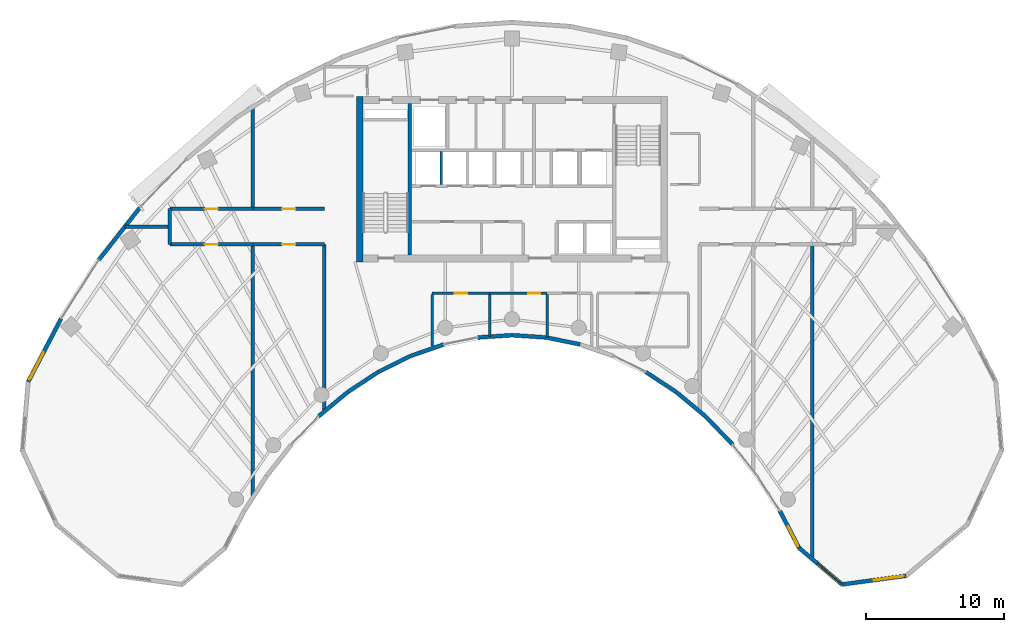
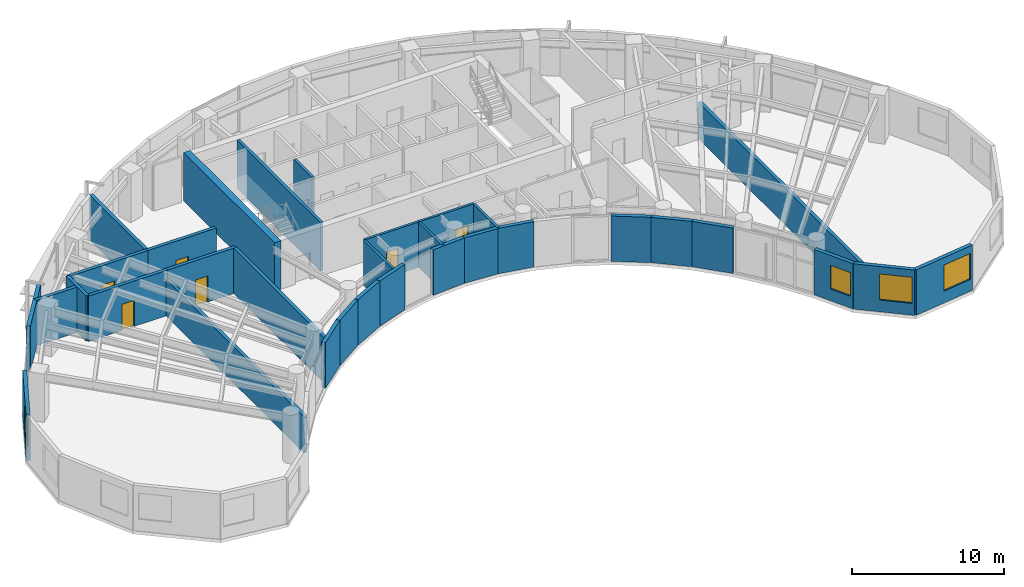
# One storey, part 8 of 14: 33 walls, 6 doors, 4 windows, 10 openings.
"""IFC4 building model written with IfcOpenShell, lengths in metres."""

from ifc_helpers import new_model, si_unit, direction, frame, frame_2d, origin, place, context, subcontext, project, spatial, rectangle, extrude, source, transform, mapped, material, layer, layer_set, type_object, type_shapes, element, fill, save


model = new_model("IFC4")

# Units and contexts
model_context = context("Model", 3, precision=1e-05, world=origin(), true_north=direction((0.0, 1.0)))
body_context = subcontext(model_context, "Body", "Model", "MODEL_VIEW")
ifc_project = project(units=[si_unit("LENGTHUNIT", "METRE"), si_unit("AREAUNIT", "SQUARE_METRE"), si_unit("VOLUMEUNIT", "CUBIC_METRE"), si_unit("PLANEANGLEUNIT", "RADIAN"), si_unit("MASSUNIT", "GRAM", prefix="KILO")], contexts=[model_context])

# Site, building, storey
site_placement = place(None, origin())
site = spatial("IfcSite", under=ifc_project, at=site_placement, CompositionType="ELEMENT")
building_placement = place(site_placement, origin())
building = spatial("IfcBuilding", under=site, at=building_placement, Name="Breltana Convention Tower", CompositionType="ELEMENT")
storey_placement = place(building_placement, frame((0.0, 0.0, 177.89990234375)))
storey = spatial("IfcBuildingStorey", under=building, at=storey_placement, Name="L43", CompositionType="ELEMENT", Elevation=177.89990234375)

# Walls
ifc_material_1 = material(Name="Concrete C60/75", Category="concrete")
ifc_layer_1 = layer(ifc_material_1, 0.5, Name="Concrete C60/75")
ifc_layer_set_1 = layer_set([ifc_layer_1], Name="Concrete C60/75")
wall_type_1 = type_object("IfcWallType", Name="SW-CORE-500", PredefinedType="SHEAR", material=ifc_layer_set_1)
shared_shape_1 = source(origin(), body_context, "Body", "SweptSolid", [
    extrude(rectangle(XDim=12.0, YDim=0.5, at=frame_2d((6.0, 0.0))), origin(), (0.0, 0.0, 1.0), 3.900146484375),
])
wall_1_placement = place(storey_placement, frame((36.949951171875, 60.199951171875, 0.0), z_axis=(0.0, 0.0, 1.0), x_axis=(0.0, 1.0, 0.0)))
element("IfcWall", 1, at=wall_1_placement, inside=storey, type_object=wall_type_1, Name="L43 West Core Shear Wall", PredefinedType="SHEAR", context=body_context, shape_type="MappedRepresentation", body=[
    mapped(shared_shape_1, transform((0.0, 0.0, 0.0), scale=1.0)),
])
ifc_material_2 = material(Name="Concrete C50/60", Category="concrete")
ifc_layer_2 = layer(ifc_material_2, 0.39990234375, Name="Concrete C50/60")
ifc_layer_set_2 = layer_set([ifc_layer_2], Name="Concrete C50/60")
wall_type_2 = type_object("IfcWallType", Name="SW-CORE-400", PredefinedType="SHEAR", material=ifc_layer_set_2)
shared_shape_2 = source(origin(), body_context, "Body", "SweptSolid", [
    extrude(rectangle(XDim=11.0, YDim=0.219970703125, at=frame_2d((5.5, 0.0))), origin(), (0.0, 0.0, 1.0), 3.900146484375),
])
wall_2_placement = place(storey_placement, frame((40.580078125, 60.699951171875, 0.0), z_axis=(0.0, 0.0, 1.0), x_axis=(0.0, 1.0, 0.0)))
element("IfcWall", 2, at=wall_2_placement, inside=storey, type_object=wall_type_2, Name="L43 Core West Stair Spine Wall", PredefinedType="SHEAR", context=body_context, shape_type="MappedRepresentation", body=[
    mapped(shared_shape_2, transform((0.0, 0.0, 0.0), scale=1.0)),
])

# Wall, opening, window
ifc_material_3 = material(Name="Limestone Buff Insulated Wall", Category="masonry")
ifc_layer_3 = layer(ifc_material_3, 0.280029296875, Name="Limestone Buff Insulated Wall")
ifc_layer_set_3 = layer_set([ifc_layer_3], Name="Limestone Buff Insulated Wall")
wall_type_3 = type_object("IfcWallType", Name="WL-EXT-NOSE-280", PredefinedType="SOLIDWALL", material=ifc_layer_set_3)
shared_shape_3 = source(origin(), body_context, "Body", "SweptSolid", [
    extrude(rectangle(XDim=4.680419921875, YDim=0.280029296875, at=frame_2d((2.34033203125, 0.0))), origin(), (0.0, 0.0, 1.0), 3.650146484375),
])
wall_3_placement = place(storey_placement, frame((76.594482421875, 37.41650390625, 0.0), z_axis=(0.0, 0.0, 1.0), x_axis=(-0.990931146435, -0.134370618162, 0.0)))
wall_3 = element("IfcWall", 3, at=wall_3_placement, inside=storey, type_object=wall_type_3, Name="L43 curved limestone nose wall E4", PredefinedType="SOLIDWALL", context=body_context, shape_type="MappedRepresentation", body=[
    mapped(shared_shape_3, transform((0.0, 0.0, 0.0), scale=1.0)),
])
opening_1_placement = place(wall_3_placement, frame((0.159912109375, 0.0, 0.949951171875)))
opening_1 = element("IfcOpeningElement", 4, at=opening_1_placement, cuts=wall_3, Name="Opening W-03", PredefinedType="OPENING", context=body_context, shape_type="SweptSolid", body=[
    extrude(rectangle(XDim=2.199951171875, YDim=2.10009765625, at=frame_2d((1.10009765625, 1.050048828125))), frame((0.0, 0.14990234375, 0.0), z_axis=(0.0, -1.0, 0.0), x_axis=(1.0, 0.0, 0.0)), (0.0, 0.0, 1.0), 0.300048828125),
])
ifc_material_4 = material(Name="Glass Low-E Insulated Window", Category="glass")
window_type_1 = type_object("IfcWindowType", Name="WN-NOSE-2200X2100", PartitioningType="TRIPLE_PANEL_VERTICAL", PredefinedType="WINDOW", material=ifc_material_4)
shared_shape_4 = source(origin(), body_context, "Body", "SweptSolid", [
    extrude(rectangle(XDim=2.199951171875, YDim=2.10009765625, at=frame_2d((1.10009765625, 1.050048828125))), frame((0.0, 0.030029296875, 0.0), z_axis=(0.0, -1.0, 0.0), x_axis=(1.0, 0.0, 0.0)), (0.0, 0.0, 1.0), 0.06005859375),
])
type_shapes(window_type_1, [shared_shape_4])
window_1_placement = place(opening_1_placement, origin())
window_1 = element("IfcWindow", 5, at=window_1_placement, inside=storey, type_object=window_type_1, Name="L43 nose window E4", OverallHeight=2.10009765625, OverallWidth=2.199951171875, PartitioningType="TRIPLE_PANEL_VERTICAL", PredefinedType="WINDOW", context=body_context, shape_type="MappedRepresentation", body=[
    mapped(shared_shape_4, transform((0.0, 0.0, 0.0), scale=1.0)),
])
fill(opening_1, window_1)

shared_shape_5 = source(origin(), body_context, "Body", "SweptSolid", [
    extrude(rectangle(XDim=4.095947265625, YDim=0.280029296875, at=frame_2d((2.0478515625, 0.0))), origin(), (0.0, 0.0, 1.0), 3.650146484375),
])
wall_4_placement = place(storey_placement, frame((71.95654296875, 36.78759765625, 0.0), z_axis=(0.0, 0.0, 1.0), x_axis=(-0.761926081737, 0.647663991564, 0.0)))
wall_4 = element("IfcWall", 6, at=wall_4_placement, inside=storey, type_object=wall_type_3, Name="L43 curved limestone nose wall E5", PredefinedType="SOLIDWALL", context=body_context, shape_type="MappedRepresentation", body=[
    mapped(shared_shape_5, transform((0.0, 0.0, 0.0), scale=1.0)),
])
opening_2_placement = place(wall_4_placement, frame((0.159912109375, 0.0, 0.949951171875)))
opening_2 = element("IfcOpeningElement", 7, at=opening_2_placement, cuts=wall_4, Name="Opening W-03", PredefinedType="OPENING", context=body_context, shape_type="SweptSolid", body=[
    extrude(rectangle(XDim=2.199951171875, YDim=2.10009765625, at=frame_2d((1.10009765625, 1.050048828125))), frame((0.0, 0.14990234375, 0.0), z_axis=(0.0, -1.0, 0.0), x_axis=(1.0, 0.0, 0.0)), (0.0, 0.0, 1.0), 0.300048828125),
])
window_2_placement = place(opening_2_placement, origin())
window_2 = element("IfcWindow", 8, at=window_2_placement, inside=storey, type_object=window_type_1, Name="L43 nose window E5", OverallHeight=2.10009765625, OverallWidth=2.199951171875, PartitioningType="TRIPLE_PANEL_VERTICAL", PredefinedType="WINDOW", context=body_context, shape_type="MappedRepresentation", body=[
    mapped(shared_shape_4, transform((0.0, 0.0, 0.0), scale=1.0)),
])
fill(opening_2, window_2)

shared_shape_6 = source(origin(), body_context, "Body", "SweptSolid", [
    extrude(rectangle(XDim=3.02392578125, YDim=0.280029296875, at=frame_2d((1.511962890625, 0.0))), origin(), (0.0, 0.0, 1.0), 3.650146484375),
])
wall_5_placement = place(storey_placement, frame((68.835693359375, 39.4404296875, 0.0), z_axis=(0.0, 0.0, 1.0), x_axis=(-0.461718746531, 0.887026380161, 0.0)))
wall_5 = element("IfcWall", 9, at=wall_5_placement, inside=storey, type_object=wall_type_3, Name="L43 curved limestone nose wall E6", PredefinedType="SOLIDWALL", context=body_context, shape_type="MappedRepresentation", body=[
    mapped(shared_shape_6, transform((0.0, 0.0, 0.0), scale=1.0)),
])
opening_3_placement = place(wall_5_placement, frame((0.159912109375, 0.0, 0.949951171875)))
opening_3 = element("IfcOpeningElement", 10, at=opening_3_placement, cuts=wall_5, Name="Opening W-04", PredefinedType="OPENING", context=body_context, shape_type="SweptSolid", body=[
    extrude(rectangle(XDim=1.60009765625, YDim=1.89990234375, at=frame_2d((0.800048828125, 0.949951171875))), frame((0.0, 0.14990234375, 0.0), z_axis=(0.0, -1.0, 0.0), x_axis=(1.0, 0.0, 0.0)), (0.0, 0.0, 1.0), 0.300048828125),
])
window_type_2 = type_object("IfcWindowType", Name="WN-NOSE-1600X1900", PartitioningType="SINGLE_PANEL", PredefinedType="WINDOW", material=ifc_material_4)
shared_shape_7 = source(origin(), body_context, "Body", "SweptSolid", [
    extrude(rectangle(XDim=1.60009765625, YDim=1.89990234375, at=frame_2d((0.800048828125, 0.949951171875))), frame((0.0, 0.030029296875, 0.0), z_axis=(0.0, -1.0, 0.0), x_axis=(1.0, 0.0, 0.0)), (0.0, 0.0, 1.0), 0.06005859375),
])
type_shapes(window_type_2, [shared_shape_7])
window_3_placement = place(opening_3_placement, origin())
window_3 = element("IfcWindow", 11, at=window_3_placement, inside=storey, type_object=window_type_2, Name="L43 nose window E6", OverallHeight=1.89990234375, OverallWidth=1.60009765625, PartitioningType="SINGLE_PANEL", PredefinedType="WINDOW", context=body_context, shape_type="MappedRepresentation", body=[
    mapped(shared_shape_7, transform((0.0, 0.0, 0.0), scale=1.0)),
])
fill(opening_3, window_3)

# Walls
shared_shape_8 = source(origin(), body_context, "Body", "SweptSolid", [
    extrude(rectangle(XDim=2.812255859375, YDim=0.280029296875, at=frame_2d((1.40625, 0.0))), origin(), (0.0, 0.0, 1.0), 3.650146484375),
])
wall_6_placement = place(storey_placement, frame((64.00830078125, 46.9501953125, 0.0), z_axis=(0.0, 0.0, 1.0), x_axis=(-0.694583668785, 0.719411931411, 0.0)))
element("IfcWall", 12, at=wall_6_placement, inside=storey, type_object=wall_type_3, Name="L43 curved limestone nose wall E7", PredefinedType="SOLIDWALL", context=body_context, shape_type="MappedRepresentation", body=[
    mapped(shared_shape_8, transform((0.0, 0.0, 0.0), scale=1.0)),
])
shared_shape_9 = source(origin(), body_context, "Body", "SweptSolid", [
    extrude(rectangle(XDim=2.7294921875, YDim=0.280029296875, at=frame_2d((1.36474609375, 0.0))), origin(), (0.0, 0.0, 1.0), 3.650146484375),
])
for number, where, z_axis, x_axis, name in (
    (13, (62.040771484375, 48.986572265625, 0.0), (0.0, 0.0, 1.0), (-0.767957284255, 0.640501061326, 0.0), "L43 curved limestone nose wall E8"),
    (14, (36.055419921875, 50.73486328125, 0.0), (0.0, 0.0, 1.0), (-0.767957284255, -0.640501061326, 0.0), "L43 curved limestone nose wall E17"),
):
    element("IfcWall", number, at=place(storey_placement, frame(where, z_axis=z_axis, x_axis=x_axis)), inside=storey, type_object=wall_type_3, Name=name, PredefinedType="SOLIDWALL", context=body_context, shape_type="MappedRepresentation", body=[
        mapped(shared_shape_9, transform((0.0, 0.0, 0.0), scale=1.0)),
    ])
shared_shape_10 = source(origin(), body_context, "Body", "SweptSolid", [
    extrude(rectangle(XDim=2.58447265625, YDim=0.280029296875, at=frame_2d((1.292236328125, 0.0))), origin(), (0.0, 0.0, 1.0), 3.650146484375),
])
wall_7_placement = place(storey_placement, frame((40.62353515625, 53.361083984375, 0.0), z_axis=(0.0, 0.0, 1.0), x_axis=(-0.895989792847, -0.44407464588, 0.0)))
element("IfcWall", 15, at=wall_7_placement, inside=storey, type_object=wall_type_3, Name="L43 curved limestone nose wall E15", PredefinedType="SOLIDWALL", context=body_context, shape_type="MappedRepresentation", body=[
    mapped(shared_shape_10, transform((0.0, 0.0, 0.0), scale=1.0)),
])
shared_shape_11 = source(origin(), body_context, "Body", "SweptSolid", [
    extrude(rectangle(XDim=2.52978515625, YDim=0.280029296875, at=frame_2d((1.264892578125, 0.0))), origin(), (0.0, 0.0, 1.0), 3.650146484375),
])
wall_8_placement = place(storey_placement, frame((43.034912109375, 54.1982421875, 0.0), z_axis=(0.0, 0.0, 1.0), x_axis=(-0.944872429646, -0.327438683872, 0.0)))
element("IfcWall", 16, at=wall_8_placement, inside=storey, type_object=wall_type_3, Name="L43 curved limestone nose wall E14", PredefinedType="SOLIDWALL", context=body_context, shape_type="MappedRepresentation", body=[
    mapped(shared_shape_11, transform((0.0, 0.0, 0.0), scale=1.0)),
])
shared_shape_12 = source(origin(), body_context, "Body", "SweptSolid", [
    extrude(rectangle(XDim=2.4912109375, YDim=0.280029296875, at=frame_2d((1.24560546875, 0.0))), origin(), (0.0, 0.0, 1.0), 3.650146484375),
])
wall_9_placement = place(storey_placement, frame((52.9423828125, 54.20458984375, 0.0), z_axis=(0.0, 0.0, 1.0), x_axis=(-0.979630885979, 0.200806691214, 0.0)))
element("IfcWall", 17, at=wall_9_placement, inside=storey, type_object=wall_type_3, Name="L43 curved limestone nose wall E11", PredefinedType="SOLIDWALL", context=body_context, shape_type="MappedRepresentation", body=[
    mapped(shared_shape_12, transform((0.0, 0.0, 0.0), scale=1.0)),
])
shared_shape_13 = source(origin(), body_context, "Body", "SweptSolid", [
    extrude(rectangle(XDim=2.471435546875, YDim=0.280029296875, at=frame_2d((1.23583984375, 0.0))), origin(), (0.0, 0.0, 1.0), 3.650146484375),
])
for number, where, z_axis, x_axis, name in (
    (18, (50.47802734375, 54.708251953125, 0.0), (0.0, 0.0, 1.0), (-0.997708006929, 0.067666335123, 0.0), "L43 curved limestone nose wall E12"),
    (19, (47.98779296875, 54.87548828125, 0.0), (0.0, 0.0, 1.0), (-0.997708006929, -0.067666335123, 0.0), "L43 curved limestone nose wall E13"),
):
    element("IfcWall", number, at=place(storey_placement, frame(where, z_axis=z_axis, x_axis=x_axis)), inside=storey, type_object=wall_type_3, Name=name, PredefinedType="SOLIDWALL", context=body_context, shape_type="MappedRepresentation", body=[
        mapped(shared_shape_13, transform((0.0, 0.0, 0.0), scale=1.0)),
    ])
shared_shape_14 = source(origin(), body_context, "Body", "SweptSolid", [
    extrude(rectangle(XDim=2.65234375, YDim=0.280029296875, at=frame_2d((1.326171875, 0.0))), origin(), (0.0, 0.0, 1.0), 3.650146484375),
])
for number, where, z_axis, x_axis, name in (
    (20, (59.92822265625, 50.7470703125, 0.0), (0.0, 0.0, 1.0), (-0.836008323535, 0.54871676025, 0.0), "L43 curved limestone nose wall E9"),
    (21, (38.2890625, 52.202392578125, 0.0), (0.0, 0.0, 1.0), (-0.836008323535, -0.54871676025, 0.0), "L43 curved limestone nose wall E16"),
):
    element("IfcWall", number, at=place(storey_placement, frame(where, z_axis=z_axis, x_axis=x_axis)), inside=storey, type_object=wall_type_3, Name=name, PredefinedType="SOLIDWALL", context=body_context, shape_type="MappedRepresentation", body=[
        mapped(shared_shape_14, transform((0.0, 0.0, 0.0), scale=1.0)),
    ])

# Wall, opening, window
shared_shape_15 = source(origin(), body_context, "Body", "SweptSolid", [
    extrude(rectangle(XDim=5.1708984375, YDim=0.280029296875, at=frame_2d((2.58544921875, 0.0))), origin(), (0.0, 0.0, 1.0), 3.650146484375),
])
wall_10_placement = place(storey_placement, frame((12.897705078125, 51.48876953125, 0.0), z_axis=(0.0, 0.0, 1.0), x_axis=(0.461752581363, 0.887008767491, 0.0)))
wall_10 = element("IfcWall", 22, at=wall_10_placement, inside=storey, type_object=wall_type_3, Name="L43 curved limestone nose wall W7", PredefinedType="SOLIDWALL", context=body_context, shape_type="MappedRepresentation", body=[
    mapped(shared_shape_15, transform((0.0, 0.0, 0.0), scale=1.0)),
])
opening_4_placement = place(wall_10_placement, frame((0.19287109375, 0.0, 0.949951171875)))
opening_4 = element("IfcOpeningElement", 23, at=opening_4_placement, cuts=wall_10, Name="Opening W-03", PredefinedType="OPENING", context=body_context, shape_type="SweptSolid", body=[
    extrude(rectangle(XDim=2.199951171875, YDim=2.10009765625, at=frame_2d((1.10009765625, 1.050048828125))), frame((0.0, 0.14990234375, 0.0), z_axis=(0.0, -1.0, 0.0), x_axis=(1.0, 0.0, 0.0)), (0.0, 0.0, 1.0), 0.300048828125),
])
window_4_placement = place(opening_4_placement, origin())
window_4 = element("IfcWindow", 24, at=window_4_placement, inside=storey, type_object=window_type_1, Name="L43 nose window W7", OverallHeight=2.10009765625, OverallWidth=2.199951171875, PartitioningType="TRIPLE_PANEL_VERTICAL", PredefinedType="WINDOW", context=body_context, shape_type="MappedRepresentation", body=[
    mapped(shared_shape_4, transform((0.0, 0.0, 0.0), scale=1.0)),
])
fill(opening_4, window_4)

# Walls
shared_shape_16 = source(origin(), body_context, "Body", "SweptSolid", [
    extrude(rectangle(XDim=4.921630859375, YDim=0.280029296875, at=frame_2d((2.4609375, 0.0))), origin(), (0.0, 0.0, 1.0), 3.650146484375),
])
wall_11_placement = place(storey_placement, frame((18.021240234375, 60.337646484375, 0.0), z_axis=(0.0, 0.0, 1.0), x_axis=(0.61817639101, 0.786039407153, 0.0)))
element("IfcWall", 25, at=wall_11_placement, inside=storey, type_object=wall_type_3, Name="L43 curved limestone nose wall E20", PredefinedType="SOLIDWALL", context=body_context, shape_type="MappedRepresentation", body=[
    mapped(shared_shape_16, transform((0.0, 0.0, 0.0), scale=1.0)),
])
ifc_material_5 = material(Name="Autoclaved Aerated Concrete Block", Category="concrete")
ifc_layer_4 = layer(ifc_material_5, 0.199951171875, Name="Autoclaved Aerated Concrete Block")
ifc_layer_set_4 = layer_set([ifc_layer_4], Name="Autoclaved Aerated Concrete Block")
wall_type_4 = type_object("IfcWallType", Name="WL-SHAFT-200", PredefinedType="SOLIDWALL", material=ifc_layer_set_4)
shared_shape_17 = source(origin(), body_context, "Body", "SweptSolid", [
    extrude(rectangle(XDim=2.39990234375, YDim=0.199951171875, at=frame_2d((1.199951171875, 0.0))), origin(), (0.0, 0.0, 1.0), 3.650146484375),
])
wall_12_placement = place(storey_placement, frame((42.8701171875, 65.800048828125, 0.0), z_axis=(0.0, 0.0, 1.0), x_axis=(0.0, 1.0, 0.0)))
element("IfcWall", 26, at=wall_12_placement, inside=storey, type_object=wall_type_4, Name="L43 interior partition W-L43-SH-M-DIV1", PredefinedType="SOLIDWALL", context=body_context, shape_type="MappedRepresentation", body=[
    mapped(shared_shape_17, transform((0.0, 0.0, 0.0), scale=1.0)),
])

# Wall, opening, door
ifc_material_6 = material(Name="Moisture-Resistant Gypsum Chase Wall")
ifc_layer_5 = layer(ifc_material_6, 0.179931640625, Name="Moisture-Resistant Gypsum Chase Wall")
ifc_layer_set_5 = layer_set([ifc_layer_5], Name="Moisture-Resistant Gypsum Chase Wall")
wall_type_5 = type_object("IfcWallType", Name="WL-PLUMB-180", PredefinedType="PLUMBINGWALL", material=ifc_layer_set_5)
shared_shape_18 = source(origin(), body_context, "Body", "SweptSolid", [
    extrude(rectangle(XDim=4.176025390625, YDim=0.179931640625, at=frame_2d((2.087890625, 0.0))), origin(), (0.0, 0.0, 1.0), 3.650146484375),
])
wall_13_placement = place(storey_placement, frame((42.199951171875, 57.919921875, 0.0), z_axis=(0.0, 0.0, 1.0), x_axis=(1.0, 0.0, 0.0)))
wall_13 = element("IfcWall", 27, at=wall_13_placement, inside=storey, type_object=wall_type_5, Name="L43 interior partition W-L43-WCM-N", PredefinedType="PLUMBINGWALL", context=body_context, shape_type="MappedRepresentation", body=[
    mapped(shared_shape_18, transform((0.0, 0.0, 0.0), scale=1.0)),
])
opening_5_placement = place(wall_13_placement, frame((1.637939453125, 0.0, 0.0)))
opening_5 = element("IfcOpeningElement", 28, at=opening_5_placement, cuts=wall_13, Name="Opening D-19", PredefinedType="OPENING", context=body_context, shape_type="SweptSolid", body=[
    extrude(rectangle(XDim=0.89990234375, YDim=2.080078125, at=frame_2d((0.449951171875, 1.0400390625))), frame((0.0, 0.10009765625, 0.0), z_axis=(0.0, -1.0, 0.0), x_axis=(1.0, 0.0, 0.0)), (0.0, 0.0, 1.0), 0.199951171875),
])
ifc_material_7 = material(Name="Timber Moisture-Resistant Door", Category="wood")
door_type_1 = type_object("IfcDoorType", Name="DR-WC-900", OperationType="NOTDEFINED", PredefinedType="DOOR", material=ifc_material_7)
shared_shape_19 = source(origin(), body_context, "Body", "SweptSolid", [
    extrude(rectangle(XDim=0.89990234375, YDim=2.080078125, at=frame_2d((0.449951171875, 1.0400390625))), frame((0.0, 0.02490234375, 0.0), z_axis=(0.0, -1.0, 0.0), x_axis=(1.0, 0.0, 0.0)), (0.0, 0.0, 1.0), 0.050048828125),
])
type_shapes(door_type_1, [shared_shape_19])
door_1_placement = place(opening_5_placement, origin())
door_1 = element("IfcDoor", 29, at=door_1_placement, inside=storey, type_object=door_type_1, Name="L43 interior door D-L43-WCM", OperationType="SINGLE_SWING_RIGHT", OverallHeight=2.080078125, OverallWidth=0.89990234375, PredefinedType="DOOR", context=body_context, shape_type="MappedRepresentation", body=[
    mapped(shared_shape_19, transform((0.0, 0.0, 0.0), scale=1.0)),
])
fill(opening_5, door_1)

wall_14_placement = place(storey_placement, frame((46.3759765625, 57.919921875, 0.0), z_axis=(0.0, 0.0, 1.0), x_axis=(1.0, 0.0, 0.0)))
wall_14 = element("IfcWall", 30, at=wall_14_placement, inside=storey, type_object=wall_type_5, Name="L43 interior partition W-L43-WCF-N", PredefinedType="PLUMBINGWALL", context=body_context, shape_type="MappedRepresentation", body=[
    mapped(shared_shape_18, transform((0.0, 0.0, 0.0), scale=1.0)),
])
opening_6_placement = place(wall_14_placement, frame((2.7880859375, 0.0, 0.0)))
opening_6 = element("IfcOpeningElement", 31, at=opening_6_placement, cuts=wall_14, Name="Opening D-19", PredefinedType="OPENING", context=body_context, shape_type="SweptSolid", body=[
    extrude(rectangle(XDim=0.89990234375, YDim=2.080078125, at=frame_2d((0.449951171875, 1.0400390625))), frame((0.0, 0.10009765625, 0.0), z_axis=(0.0, -1.0, 0.0), x_axis=(1.0, 0.0, 0.0)), (0.0, 0.0, 1.0), 0.199951171875),
])
door_2_placement = place(opening_6_placement, origin())
door_2 = element("IfcDoor", 32, at=door_2_placement, inside=storey, type_object=door_type_1, Name="L43 interior door D-L43-WCF", OperationType="SINGLE_SWING_LEFT", OverallHeight=2.080078125, OverallWidth=0.89990234375, PredefinedType="DOOR", context=body_context, shape_type="MappedRepresentation", body=[
    mapped(shared_shape_19, transform((0.0, 0.0, 0.0), scale=1.0)),
])
fill(opening_6, door_2)

# Walls
ifc_material_8 = material(Name="Cement Board Wet-Area Partition")
ifc_layer_6 = layer(ifc_material_8, 0.175048828125, Name="Cement Board Wet-Area Partition")
ifc_layer_set_6 = layer_set([ifc_layer_6], Name="Cement Board Wet-Area Partition")
wall_type_6 = type_object("IfcWallType", Name="WL-WET-175", PredefinedType="PARTITIONING", material=ifc_layer_set_6)
shared_shape_20 = source(origin(), body_context, "Body", "SweptSolid", [
    extrude(rectangle(XDim=3.7626953125, YDim=0.175048828125, at=frame_2d((1.88134765625, 0.0))), origin(), (0.0, 0.0, 1.0), 3.650146484375),
])
wall_15_placement = place(storey_placement, frame((42.199951171875, 54.07861328125, 0.0), z_axis=(0.0, 0.0, 1.0), x_axis=(0.0, 1.0, 0.0)))
element("IfcWall", 33, at=wall_15_placement, inside=storey, type_object=wall_type_6, Name="L43 interior partition W-L43-WCM-W", PredefinedType="PARTITIONING", context=body_context, shape_type="MappedRepresentation", body=[
    mapped(shared_shape_20, transform((0.0, 0.0, 0.0), scale=1.0)),
])
shared_shape_21 = source(origin(), body_context, "Body", "SweptSolid", [
    extrude(rectangle(XDim=3.065185546875, YDim=0.175048828125, at=frame_2d((1.53271484375, 0.0))), origin(), (0.0, 0.0, 1.0), 3.650146484375),
])
wall_16_placement = place(storey_placement, frame((46.3759765625, 54.776123046875, 0.0), z_axis=(0.0, 0.0, 1.0), x_axis=(0.0, 1.0, 0.0)))
element("IfcWall", 34, at=wall_16_placement, inside=storey, type_object=wall_type_6, Name="L43 interior partition W-L43-WCM-E", PredefinedType="PARTITIONING", context=body_context, shape_type="MappedRepresentation", body=[
    mapped(shared_shape_21, transform((0.0, 0.0, 0.0), scale=1.0)),
])
shared_shape_22 = source(origin(), body_context, "Body", "SweptSolid", [
    extrude(rectangle(XDim=3.136474609375, YDim=0.175048828125, at=frame_2d((1.568359375, 0.0))), origin(), (0.0, 0.0, 1.0), 3.650146484375),
])
wall_17_placement = place(storey_placement, frame((50.552001953125, 54.704833984375, 0.0), z_axis=(0.0, 0.0, 1.0), x_axis=(0.0, 1.0, 0.0)))
element("IfcWall", 35, at=wall_17_placement, inside=storey, type_object=wall_type_6, Name="L43 interior partition W-L43-WCF-E", PredefinedType="PARTITIONING", context=body_context, shape_type="MappedRepresentation", body=[
    mapped(shared_shape_22, transform((0.0, 0.0, 0.0), scale=1.0)),
])

# Wall, opening, door
ifc_material_9 = material(Name="Gypsum Acoustic Double Stud Wall")
ifc_layer_7 = layer(ifc_material_9, 0.25, Name="Gypsum Acoustic Double Stud Wall")
ifc_layer_set_7 = layer_set([ifc_layer_7], Name="Gypsum Acoustic Double Stud Wall")
wall_type_7 = type_object("IfcWallType", Name="WL-ACOUSTIC-250", PredefinedType="PARTITIONING", material=ifc_layer_set_7)
shared_shape_23 = source(origin(), body_context, "Body", "SweptSolid", [
    extrude(rectangle(XDim=6.02001953125, YDim=0.25, at=frame_2d((3.010009765625, 0.0))), origin(), (0.0, 0.0, 1.0), 3.650146484375),
])
wall_18_placement = place(storey_placement, frame((23.179931640625, 64.0400390625, 0.0), z_axis=(0.0, 0.0, 1.0), x_axis=(1.0, 0.0, 0.0)))
wall_18 = element("IfcWall", 36, at=wall_18_placement, inside=storey, type_object=wall_type_7, Name="L43 interior partition W-L43-ZWN1-D", PredefinedType="PARTITIONING", context=body_context, shape_type="MappedRepresentation", body=[
    mapped(shared_shape_23, transform((0.0, 0.0, 0.0), scale=1.0)),
])
opening_7_placement = place(wall_18_placement, frame((2.534912109375, 0.0, 0.0)))
opening_7 = element("IfcOpeningElement", 37, at=opening_7_placement, cuts=wall_18, Name="Opening D-17", PredefinedType="OPENING", context=body_context, shape_type="SweptSolid", body=[
    extrude(rectangle(XDim=0.949951171875, YDim=2.10009765625, at=frame_2d((0.47509765625, 1.050048828125))), frame((0.0, 0.135009765625, 0.0), z_axis=(0.0, -1.0, 0.0), x_axis=(1.0, 0.0, 0.0)), (0.0, 0.0, 1.0), 0.27001953125),
])
ifc_material_10 = material(Name="Timber Oak Veneer Door", Category="wood")
door_type_2 = type_object("IfcDoorType", Name="DR-INT-950", OperationType="NOTDEFINED", PredefinedType="DOOR", material=ifc_material_10)
shared_shape_24 = source(origin(), body_context, "Body", "SweptSolid", [
    extrude(rectangle(XDim=0.949951171875, YDim=2.10009765625, at=frame_2d((0.47509765625, 1.050048828125))), frame((0.0, 0.02490234375, 0.0), z_axis=(0.0, -1.0, 0.0), x_axis=(1.0, 0.0, 0.0)), (0.0, 0.0, 1.0), 0.050048828125),
])
type_shapes(door_type_2, [shared_shape_24])
door_3_placement = place(opening_7_placement, origin())
door_3 = element("IfcDoor", 38, at=door_3_placement, inside=storey, type_object=door_type_2, Name="L43 interior door D-L43-ZWN1", OperationType="SINGLE_SWING_RIGHT", OverallHeight=2.10009765625, OverallWidth=0.949951171875, PredefinedType="DOOR", context=body_context, shape_type="MappedRepresentation", body=[
    mapped(shared_shape_24, transform((0.0, 0.0, 0.0), scale=1.0)),
])
fill(opening_7, door_3)

wall_19_placement = place(storey_placement, frame((23.179931640625, 61.4599609375, 0.0), z_axis=(0.0, 0.0, 1.0), x_axis=(1.0, 0.0, 0.0)))
wall_19 = element("IfcWall", 39, at=wall_19_placement, inside=storey, type_object=wall_type_7, Name="L43 interior partition W-L43-ZWS1-D", PredefinedType="PARTITIONING", context=body_context, shape_type="MappedRepresentation", body=[
    mapped(shared_shape_23, transform((0.0, 0.0, 0.0), scale=1.0)),
])
opening_8_placement = place(wall_19_placement, frame((2.534912109375, 0.0, 0.0)))
opening_8 = element("IfcOpeningElement", 40, at=opening_8_placement, cuts=wall_19, Name="Opening D-17", PredefinedType="OPENING", context=body_context, shape_type="SweptSolid", body=[
    extrude(rectangle(XDim=0.949951171875, YDim=2.10009765625, at=frame_2d((0.47509765625, 1.050048828125))), frame((0.0, 0.135009765625, 0.0), z_axis=(0.0, -1.0, 0.0), x_axis=(1.0, 0.0, 0.0)), (0.0, 0.0, 1.0), 0.27001953125),
])
door_4_placement = place(opening_8_placement, origin())
door_4 = element("IfcDoor", 41, at=door_4_placement, inside=storey, type_object=door_type_2, Name="L43 interior door D-L43-ZWS1", OperationType="SINGLE_SWING_RIGHT", OverallHeight=2.10009765625, OverallWidth=0.949951171875, PredefinedType="DOOR", context=body_context, shape_type="MappedRepresentation", body=[
    mapped(shared_shape_24, transform((0.0, 0.0, 0.0), scale=1.0)),
])
fill(opening_8, door_4)

# Wall
shared_shape_25 = source(origin(), body_context, "Body", "SweptSolid", [
    extrude(rectangle(XDim=7.365478515625, YDim=0.25, at=frame_2d((3.6826171875, 0.0))), origin(), (0.0, 0.0, 1.0), 3.650146484375),
])
wall_20_placement = place(storey_placement, frame((29.199951171875, 64.06005859375, 0.0), z_axis=(0.0, 0.0, 1.0), x_axis=(0.0, 1.0, 0.0)))
element("IfcWall", 42, at=wall_20_placement, inside=storey, type_object=wall_type_7, Name="L43 interior partition W-L43-ZWN1-E", PredefinedType="PARTITIONING", context=body_context, shape_type="MappedRepresentation", body=[
    mapped(shared_shape_25, transform((0.0, 0.0, 0.0), scale=1.0)),
])

# Wall, opening, door
shared_shape_26 = source(origin(), body_context, "Body", "SweptSolid", [
    extrude(rectangle(XDim=5.199951171875, YDim=0.25, at=frame_2d((2.60009765625, 0.0))), origin(), (0.0, 0.0, 1.0), 3.650146484375),
])
wall_21_placement = place(storey_placement, frame((29.199951171875, 64.0400390625, 0.0), z_axis=(0.0, 0.0, 1.0), x_axis=(1.0, 0.0, 0.0)))
wall_21 = element("IfcWall", 43, at=wall_21_placement, inside=storey, type_object=wall_type_7, Name="L43 interior partition W-L43-ZWN2-D", PredefinedType="PARTITIONING", context=body_context, shape_type="MappedRepresentation", body=[
    mapped(shared_shape_26, transform((0.0, 0.0, 0.0), scale=1.0)),
])
opening_9_placement = place(wall_21_placement, frame((2.125, 0.0, 0.0)))
opening_9 = element("IfcOpeningElement", 44, at=opening_9_placement, cuts=wall_21, Name="Opening D-17", PredefinedType="OPENING", context=body_context, shape_type="SweptSolid", body=[
    extrude(rectangle(XDim=0.949951171875, YDim=2.10009765625, at=frame_2d((0.47509765625, 1.050048828125))), frame((0.0, 0.135009765625, 0.0), z_axis=(0.0, -1.0, 0.0), x_axis=(1.0, 0.0, 0.0)), (0.0, 0.0, 1.0), 0.27001953125),
])
door_5_placement = place(opening_9_placement, origin())
door_5 = element("IfcDoor", 45, at=door_5_placement, inside=storey, type_object=door_type_2, Name="L43 interior door D-L43-ZWN2", OperationType="SINGLE_SWING_LEFT", OverallHeight=2.10009765625, OverallWidth=0.949951171875, PredefinedType="DOOR", context=body_context, shape_type="MappedRepresentation", body=[
    mapped(shared_shape_24, transform((0.0, 0.0, 0.0), scale=1.0)),
])
fill(opening_9, door_5)

wall_22_placement = place(storey_placement, frame((29.199951171875, 61.4599609375, 0.0), z_axis=(0.0, 0.0, 1.0), x_axis=(1.0, 0.0, 0.0)))
wall_22 = element("IfcWall", 46, at=wall_22_placement, inside=storey, type_object=wall_type_7, Name="L43 interior partition W-L43-ZWS2-D", PredefinedType="PARTITIONING", context=body_context, shape_type="MappedRepresentation", body=[
    mapped(shared_shape_26, transform((0.0, 0.0, 0.0), scale=1.0)),
])
opening_10_placement = place(wall_22_placement, frame((2.125, 0.0, 0.0)))
opening_10 = element("IfcOpeningElement", 47, at=opening_10_placement, cuts=wall_22, Name="Opening D-17", PredefinedType="OPENING", context=body_context, shape_type="SweptSolid", body=[
    extrude(rectangle(XDim=0.949951171875, YDim=2.10009765625, at=frame_2d((0.47509765625, 1.050048828125))), frame((0.0, 0.135009765625, 0.0), z_axis=(0.0, -1.0, 0.0), x_axis=(1.0, 0.0, 0.0)), (0.0, 0.0, 1.0), 0.27001953125),
])
door_6_placement = place(opening_10_placement, origin())
door_6 = element("IfcDoor", 48, at=door_6_placement, inside=storey, type_object=door_type_2, Name="L43 interior door D-L43-ZWS2", OperationType="SINGLE_SWING_LEFT", OverallHeight=2.10009765625, OverallWidth=0.949951171875, PredefinedType="DOOR", context=body_context, shape_type="MappedRepresentation", body=[
    mapped(shared_shape_24, transform((0.0, 0.0, 0.0), scale=1.0)),
])
fill(opening_10, door_6)

# Walls
shared_shape_27 = source(origin(), body_context, "Body", "SweptSolid", [
    extrude(rectangle(XDim=18.301025390625, YDim=0.25, at=frame_2d((9.150390625, 0.0))), origin(), (0.0, 0.0, 1.0), 2.942138671875),
])
wall_23_placement = place(storey_placement, frame((29.199951171875, 43.138916015625, 0.0), z_axis=(0.0, 0.0, 1.0), x_axis=(0.0, 1.0, 0.0)))
element("IfcWall", 49, at=wall_23_placement, inside=storey, type_object=wall_type_7, Name="L43 interior partition W-L43-ZWS1-E", PredefinedType="PARTITIONING", context=body_context, shape_type="MappedRepresentation", body=[
    mapped(shared_shape_27, transform((0.0, 0.0, 0.0), scale=1.0)),
])
shared_shape_28 = source(origin(), body_context, "Body", "SweptSolid", [
    extrude(rectangle(XDim=12.126220703125, YDim=0.25, at=frame_2d((6.06298828125, 0.0))), origin(), (0.0, 0.0, 1.0), 3.650146484375),
])
wall_24_placement = place(storey_placement, frame((34.360107421875, 49.333740234375, 0.0), z_axis=(0.0, 0.0, 1.0), x_axis=(0.0, 1.0, 0.0)))
element("IfcWall", 50, at=wall_24_placement, inside=storey, type_object=wall_type_7, Name="L43 interior partition W-L43-ZODD-WC", PredefinedType="PARTITIONING", context=body_context, shape_type="MappedRepresentation", body=[
    mapped(shared_shape_28, transform((0.0, 0.0, 0.0), scale=1.0)),
])
shared_shape_29 = source(origin(), body_context, "Body", "SweptSolid", [
    extrude(rectangle(XDim=22.805908203125, YDim=0.25, at=frame_2d((11.40283203125, 0.0))), origin(), (0.0, 0.0, 1.0), 2.942138671875),
])
wall_25_placement = place(storey_placement, frame((69.800048828125, 38.634033203125, 0.0), z_axis=(0.0, 0.0, 1.0), x_axis=(0.0, 1.0, 0.0)))
element("IfcWall", 51, at=wall_25_placement, inside=storey, type_object=wall_type_7, Name="L43 interior partition W-L43-ZES2-E", PredefinedType="PARTITIONING", context=body_context, shape_type="MappedRepresentation", body=[
    mapped(shared_shape_29, transform((0.0, 0.0, 0.0), scale=1.0)),
])
shared_shape_30 = source(origin(), body_context, "Body", "SweptSolid", [
    extrude(rectangle(XDim=2.6201171875, YDim=0.25, at=frame_2d((1.31005859375, 0.0))), origin(), (0.0, 0.0, 1.0), 3.650146484375),
])
wall_26_placement = place(storey_placement, frame((23.179931640625, 61.43994140625, 0.0), z_axis=(0.0, 0.0, 1.0), x_axis=(0.0, 1.0, 0.0)))
element("IfcWall", 52, at=wall_26_placement, inside=storey, type_object=wall_type_7, Name="L43 interior partition W-L43-ZFW-CAP", PredefinedType="PARTITIONING", context=body_context, shape_type="MappedRepresentation", body=[
    mapped(shared_shape_30, transform((0.0, 0.0, 0.0), scale=1.0)),
])
shared_shape_31 = source(origin(), body_context, "Body", "SweptSolid", [
    extrude(rectangle(XDim=3.248779296875, YDim=0.25, at=frame_2d((1.62451171875, 0.0))), origin(), (0.0, 0.0, 1.0), 3.650146484375),
])
wall_27_placement = place(storey_placement, frame((19.93115234375, 62.75, 0.0), z_axis=(0.0, 0.0, 1.0), x_axis=(1.0, 0.0, 0.0)))
element("IfcWall", 53, at=wall_27_placement, inside=storey, type_object=wall_type_7, Name="L43 interior partition W-L43-ZFW-EXT", PredefinedType="PARTITIONING", context=body_context, shape_type="MappedRepresentation", body=[
    mapped(shared_shape_31, transform((0.0, 0.0, 0.0), scale=1.0)),
])

save(model, "model.ifc")
